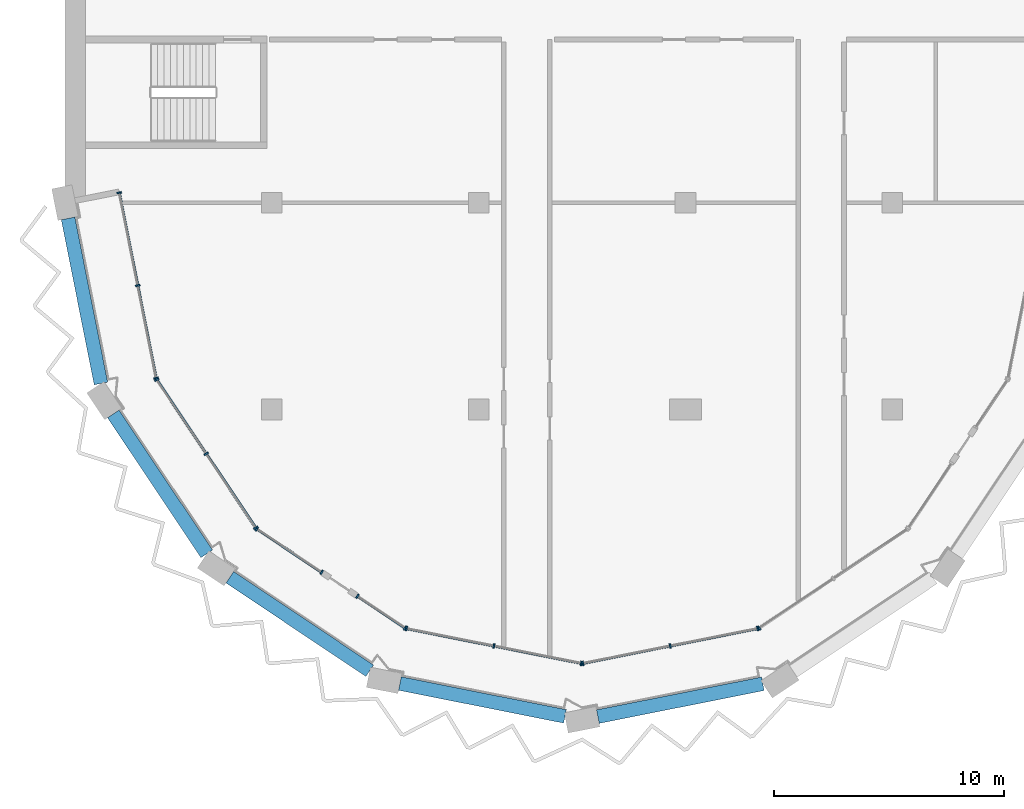
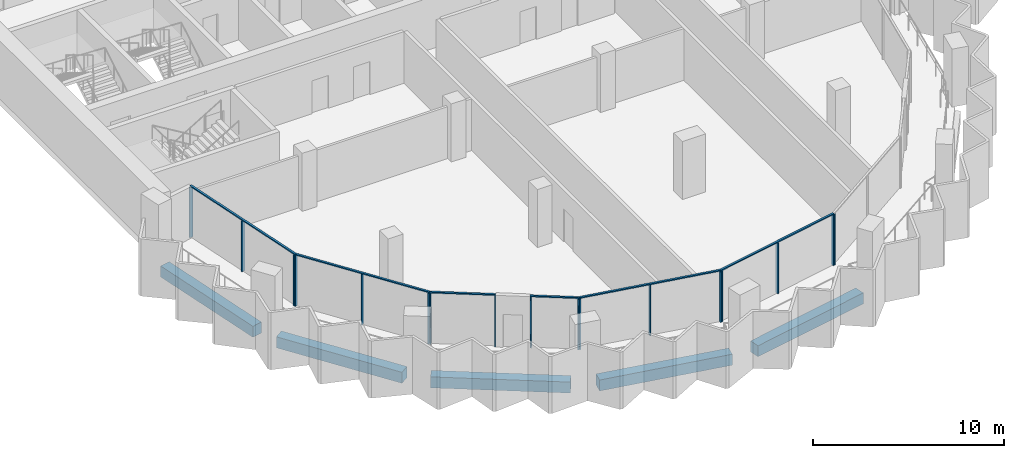
# One storey, part 2 of 14: 23 members, 5 beams, 7 elements without a shape of their own.
"""IFC4 building model written with IfcOpenShell, lengths in metres."""

from ifc_helpers import new_model, si_unit, direction, frame, origin, origin_2d, place, context, subcontext, project, spatial, rectangle, extrude, material, material_profile, profile_set, type_object, element, aggregate, save


model = new_model("IFC4")

# Units and contexts
model_context = context("Model", 3, precision=1e-05, world=origin(), true_north=direction((0.0, 1.0)))
body_context = subcontext(model_context, "Body", "Model", "MODEL_VIEW")
ifc_project = project(units=[si_unit("LENGTHUNIT", "METRE"), si_unit("AREAUNIT", "SQUARE_METRE"), si_unit("VOLUMEUNIT", "CUBIC_METRE"), si_unit("PLANEANGLEUNIT", "RADIAN"), si_unit("MASSUNIT", "GRAM", prefix="KILO")], contexts=[model_context])

# Site, building, storey
site_placement = place(None, origin())
site = spatial("IfcSite", under=ifc_project, at=site_placement, CompositionType="ELEMENT")
building_placement = place(site_placement, origin())
building = spatial("IfcBuilding", under=site, at=building_placement, Name="Hunhe Ridgeline Campus", CompositionType="ELEMENT")
storey_placement = place(building_placement, frame((0.0, 0.0, 291.89990234375)))
storey = spatial("IfcBuildingStorey", under=building, at=storey_placement, Name="L75", CompositionType="ELEMENT", Elevation=291.89990234375)

# Curtain wall, members
ifc_material_1 = material(Name="Aluminium 6063", Category="aluminium")
curtain_wall_type = type_object("IfcCurtainWallType", Name="Curtain wall CW-5", PredefinedType="NOTDEFINED", material=ifc_material_1)
curtain_wall_1_placement = place(storey_placement, origin())
curtain_wall_1 = element("IfcCurtainWall", 1, at=curtain_wall_1_placement, inside=storey, type_object=curtain_wall_type, Name="Curtain wall 01", PredefinedType="NOTDEFINED")
ifc_material_profile_1 = material_profile(ifc_material_1, rectangle(XDim=0.199951171875, YDim=0.070068359375, at=origin_2d()))
ifc_profile_set_1 = profile_set([ifc_material_profile_1], Name="Aluminium 6063")
member_type_1 = type_object("IfcMemberType", Name="CW-5 aluminium mullion", PredefinedType="MULLION", material=ifc_profile_set_1)
member_1_placement = place(storey_placement, frame((2.361572265625, 54.434326171875, 0.0), z_axis=(0.0, 0.0, 1.0), x_axis=(0.980784280831, 0.195095347137, 0.0)))
member_1 = element("IfcMember", 2, at=member_1_placement, type_object=member_type_1, Name="CW-5 mullion 1", PredefinedType="MULLION", context=body_context, shape_type="SweptSolid", body=[
    extrude(rectangle(XDim=0.199951171875, YDim=0.070068359375, at=origin_2d()), origin(), (0.0, 0.0, 1.0), 3.22998046875),
])
member_2_placement = place(storey_placement, frame((3.16455078125, 50.3974609375, 0.0), z_axis=(0.0, 0.0, 1.0), x_axis=(0.980784280831, 0.195095347137, 0.0)))
member_2 = element("IfcMember", 3, at=member_2_placement, type_object=member_type_1, Name="CW-5 mullion 2", PredefinedType="MULLION", context=body_context, shape_type="SweptSolid", body=[
    extrude(rectangle(XDim=0.199951171875, YDim=0.070068359375, at=origin_2d()), origin(), (0.0, 0.0, 1.0), 3.22998046875),
])
member_3_placement = place(storey_placement, frame((3.967529296875, 46.36083984375, 0.0), z_axis=(0.0, 0.0, 1.0), x_axis=(0.980784280831, 0.195095347137, 0.0)))
member_3 = element("IfcMember", 4, at=member_3_placement, type_object=member_type_1, Name="CW-5 mullion 3", PredefinedType="MULLION", context=body_context, shape_type="SweptSolid", body=[
    extrude(rectangle(XDim=0.199951171875, YDim=0.070068359375, at=origin_2d()), origin(), (0.0, 0.0, 1.0), 3.22998046875),
])

curtain_wall_2_placement = place(storey_placement, origin())
curtain_wall_2 = element("IfcCurtainWall", 5, at=curtain_wall_2_placement, inside=storey, type_object=curtain_wall_type, Name="Curtain wall 02", PredefinedType="NOTDEFINED")
member_4_placement = place(storey_placement, frame((3.993896484375, 46.29736328125, 0.0), z_axis=(0.0, 0.0, 1.0), x_axis=(0.831469584522, 0.555570274596, 0.0)))
member_4 = element("IfcMember", 6, at=member_4_placement, type_object=member_type_1, Name="CW-5 mullion 1", PredefinedType="MULLION", context=body_context, shape_type="SweptSolid", body=[
    extrude(rectangle(XDim=0.199951171875, YDim=0.070068359375, at=origin_2d()), origin(), (0.0, 0.0, 1.0), 3.22998046875),
])
member_5_placement = place(storey_placement, frame((6.147705078125, 43.07373046875, 0.0), z_axis=(0.0, 0.0, 1.0), x_axis=(0.831469584522, 0.555570274596, 0.0)))
member_5 = element("IfcMember", 7, at=member_5_placement, type_object=member_type_1, Name="CW-5 mullion 2", PredefinedType="MULLION", context=body_context, shape_type="SweptSolid", body=[
    extrude(rectangle(XDim=0.199951171875, YDim=0.070068359375, at=origin_2d()), origin(), (0.0, 0.0, 1.0), 3.22998046875),
])
member_6_placement = place(storey_placement, frame((8.3017578125, 39.850341796875, 0.0), z_axis=(0.0, 0.0, 1.0), x_axis=(0.831469584522, 0.555570274596, 0.0)))
member_6 = element("IfcMember", 8, at=member_6_placement, type_object=member_type_1, Name="CW-5 mullion 3", PredefinedType="MULLION", context=body_context, shape_type="SweptSolid", body=[
    extrude(rectangle(XDim=0.199951171875, YDim=0.070068359375, at=origin_2d()), origin(), (0.0, 0.0, 1.0), 3.22998046875),
])

curtain_wall_3_placement = place(storey_placement, origin())
curtain_wall_3 = element("IfcCurtainWall", 9, at=curtain_wall_3_placement, inside=storey, type_object=curtain_wall_type, Name="Curtain wall 03", PredefinedType="NOTDEFINED")
member_7_placement = place(storey_placement, frame((8.350341796875, 39.8017578125, 0.0), z_axis=(0.0, 0.0, 1.0), x_axis=(0.555570257501, 0.831469595944, 0.0)))
member_7 = element("IfcMember", 10, at=member_7_placement, type_object=member_type_1, Name="CW-5 mullion 1", PredefinedType="MULLION", context=body_context, shape_type="SweptSolid", body=[
    extrude(rectangle(XDim=0.199951171875, YDim=0.070068359375, at=origin_2d()), origin(), (0.0, 0.0, 1.0), 3.22998046875),
])
member_8_placement = place(storey_placement, frame((11.17041015625, 37.917236328125, 0.0), z_axis=(0.0, 0.0, 1.0), x_axis=(0.555570257501, 0.831469595944, 0.0)))
member_8 = element("IfcMember", 11, at=member_8_placement, type_object=member_type_1, Name="CW-5 mullion 2", PredefinedType="MULLION", context=body_context, shape_type="SweptSolid", body=[
    extrude(rectangle(XDim=0.199951171875, YDim=0.070068359375, at=origin_2d()), origin(), (0.0, 0.0, 1.0), 3.22998046875),
])

curtain_wall_4_placement = place(storey_placement, origin())
curtain_wall_4 = element("IfcCurtainWall", 12, at=curtain_wall_4_placement, inside=storey, type_object=curtain_wall_type, Name="Curtain wall 04", PredefinedType="NOTDEFINED")
member_9_placement = place(storey_placement, frame((12.725341796875, 36.87841796875, 0.0), z_axis=(0.0, 0.0, 1.0), x_axis=(0.555570385598, 0.831469510353, 0.0)))
member_9 = element("IfcMember", 13, at=member_9_placement, type_object=member_type_1, Name="CW-5 mullion 1", PredefinedType="MULLION", context=body_context, shape_type="SweptSolid", body=[
    extrude(rectangle(XDim=0.199951171875, YDim=0.070068359375, at=origin_2d()), origin(), (0.0, 0.0, 1.0), 3.22998046875),
])
member_10_placement = place(storey_placement, frame((14.79736328125, 35.493896484375, 0.0), z_axis=(0.0, 0.0, 1.0), x_axis=(0.555570385598, 0.831469510353, 0.0)))
member_10 = element("IfcMember", 14, at=member_10_placement, type_object=member_type_1, Name="CW-5 mullion 2", PredefinedType="MULLION", context=body_context, shape_type="SweptSolid", body=[
    extrude(rectangle(XDim=0.199951171875, YDim=0.070068359375, at=origin_2d()), origin(), (0.0, 0.0, 1.0), 3.22998046875),
])

curtain_wall_5_placement = place(storey_placement, origin())
curtain_wall_5 = element("IfcCurtainWall", 15, at=curtain_wall_5_placement, inside=storey, type_object=curtain_wall_type, Name="Curtain wall 05", PredefinedType="NOTDEFINED")
member_11_placement = place(storey_placement, frame((14.86083984375, 35.467529296875, 0.0), z_axis=(0.0, 0.0, 1.0), x_axis=(0.195090347539, 0.980785275326, 0.0)))
member_11 = element("IfcMember", 16, at=member_11_placement, type_object=member_type_1, Name="CW-5 mullion 1", PredefinedType="MULLION", context=body_context, shape_type="SweptSolid", body=[
    extrude(rectangle(XDim=0.199951171875, YDim=0.070068359375, at=origin_2d()), origin(), (0.0, 0.0, 1.0), 3.22998046875),
])
member_12_placement = place(storey_placement, frame((18.663330078125, 34.711181640625, 0.0), z_axis=(0.0, 0.0, 1.0), x_axis=(0.195090347539, 0.980785275326, 0.0)))
member_12 = element("IfcMember", 17, at=member_12_placement, type_object=member_type_1, Name="CW-5 mullion 2", PredefinedType="MULLION", context=body_context, shape_type="SweptSolid", body=[
    extrude(rectangle(XDim=0.199951171875, YDim=0.070068359375, at=origin_2d()), origin(), (0.0, 0.0, 1.0), 3.22998046875),
])
member_13_placement = place(storey_placement, frame((22.465576171875, 33.954833984375, 0.0), z_axis=(0.0, 0.0, 1.0), x_axis=(0.195090347539, 0.980785275326, 0.0)))
member_13 = element("IfcMember", 18, at=member_13_placement, type_object=member_type_1, Name="CW-5 mullion 3", PredefinedType="MULLION", context=body_context, shape_type="SweptSolid", body=[
    extrude(rectangle(XDim=0.199951171875, YDim=0.070068359375, at=origin_2d()), origin(), (0.0, 0.0, 1.0), 3.22998046875),
])

curtain_wall_6_placement = place(storey_placement, origin())
curtain_wall_6 = element("IfcCurtainWall", 19, at=curtain_wall_6_placement, inside=storey, type_object=curtain_wall_type, Name="Curtain wall 06", PredefinedType="NOTDEFINED")
member_14_placement = place(storey_placement, frame((22.534423828125, 33.954833984375, 0.0), z_axis=(0.0, 0.0, 1.0), x_axis=(-0.195090347539, 0.980785275326, 0.0)))
member_14 = element("IfcMember", 20, at=member_14_placement, type_object=member_type_1, Name="CW-5 mullion 1", PredefinedType="MULLION", context=body_context, shape_type="SweptSolid", body=[
    extrude(rectangle(XDim=0.199951171875, YDim=0.070068359375, at=origin_2d()), origin(), (0.0, 0.0, 1.0), 3.22998046875),
])
member_15_placement = place(storey_placement, frame((26.336669921875, 34.711181640625, 0.0), z_axis=(0.0, 0.0, 1.0), x_axis=(-0.195090347539, 0.980785275326, 0.0)))
member_15 = element("IfcMember", 21, at=member_15_placement, type_object=member_type_1, Name="CW-5 mullion 2", PredefinedType="MULLION", context=body_context, shape_type="SweptSolid", body=[
    extrude(rectangle(XDim=0.199951171875, YDim=0.070068359375, at=origin_2d()), origin(), (0.0, 0.0, 1.0), 3.22998046875),
])
member_16_placement = place(storey_placement, frame((30.13916015625, 35.467529296875, 0.0), z_axis=(0.0, 0.0, 1.0), x_axis=(-0.195090347539, 0.980785275326, 0.0)))
member_16 = element("IfcMember", 22, at=member_16_placement, type_object=member_type_1, Name="CW-5 mullion 3", PredefinedType="MULLION", context=body_context, shape_type="SweptSolid", body=[
    extrude(rectangle(XDim=0.199951171875, YDim=0.070068359375, at=origin_2d()), origin(), (0.0, 0.0, 1.0), 3.22998046875),
])

# Curtain wall, member
curtain_wall_7_placement = place(storey_placement, origin())
curtain_wall_7 = element("IfcCurtainWall", 23, at=curtain_wall_7_placement, inside=storey, type_object=curtain_wall_type, Name="Curtain wall 07", PredefinedType="NOTDEFINED")
member_17_placement = place(storey_placement, frame((30.20263671875, 35.493896484375, 0.0), z_axis=(0.0, 0.0, 1.0), x_axis=(-0.555570274596, 0.831469584522, 0.0)))
member_17 = element("IfcMember", 24, at=member_17_placement, type_object=member_type_1, Name="CW-5 mullion 1", PredefinedType="MULLION", context=body_context, shape_type="SweptSolid", body=[
    extrude(rectangle(XDim=0.199951171875, YDim=0.070068359375, at=origin_2d()), origin(), (0.0, 0.0, 1.0), 3.22998046875),
])
aggregate(curtain_wall_7, [member_17])

# Member
ifc_material_profile_2 = material_profile(ifc_material_1, rectangle(XDim=0.1201171875, YDim=0.070068359375, at=origin_2d()))
ifc_profile_set_2 = profile_set([ifc_material_profile_2], Name="Aluminium 6063")
member_type_2 = type_object("IfcMemberType", Name="CW-5 aluminium transom", PredefinedType="USERDEFINED", material=ifc_profile_set_2)
member_18_placement = place(storey_placement, frame((2.354736328125, 54.46875, 3.26513671875), z_axis=(0.195092405068, -0.980784866056, 0.0), x_axis=(0.980784866056, 0.195092405068, 0.0)))
member_18 = element("IfcMember", 25, at=member_18_placement, type_object=member_type_2, Name="CW-5 transom 1", ObjectType="TRANSOM", PredefinedType="USERDEFINED", context=body_context, shape_type="SweptSolid", body=[
    extrude(rectangle(XDim=0.1201171875, YDim=0.070068359375, at=origin_2d()), origin(), (0.0, 0.0, 1.0), 8.3017578125),
])

aggregate(curtain_wall_1, [member_18, member_1, member_2, member_3])

member_19_placement = place(storey_placement, frame((3.974365234375, 46.326416015625, 3.26513671875), z_axis=(0.5555640203, -0.831473763475, 0.0), x_axis=(0.831473763475, 0.5555640203, 0.0)))
member_19 = element("IfcMember", 26, at=member_19_placement, type_object=member_type_2, Name="CW-5 transom 1", ObjectType="TRANSOM", PredefinedType="USERDEFINED", context=body_context, shape_type="SweptSolid", body=[
    extrude(rectangle(XDim=0.1201171875, YDim=0.070068359375, at=origin_2d()), origin(), (0.0, 0.0, 1.0), 7.823974609375),
])

aggregate(curtain_wall_2, [member_19, member_4, member_5, member_6])

member_20_placement = place(storey_placement, frame((8.321044921875, 39.821044921875, 3.26513671875), z_axis=(0.831485714606, -0.555546133463, 0.0), x_axis=(0.555546133463, 0.831485714606, 0.0)))
member_20 = element("IfcMember", 27, at=member_20_placement, type_object=member_type_2, Name="CW-5 transom 1", ObjectType="TRANSOM", PredefinedType="USERDEFINED", context=body_context, shape_type="SweptSolid", body=[
    extrude(rectangle(XDim=0.1201171875, YDim=0.070068359375, at=origin_2d()), origin(), (0.0, 0.0, 1.0), 3.462158203125),
])

aggregate(curtain_wall_3, [member_20, member_7, member_8])

member_21_placement = place(storey_placement, frame((12.6962890625, 36.897705078125, 3.26513671875), z_axis=(0.831463388334, -0.555579547735, 0.0), x_axis=(0.555579547735, 0.831463388334, 0.0)))
member_21 = element("IfcMember", 28, at=member_21_placement, type_object=member_type_2, Name="CW-5 transom 1", ObjectType="TRANSOM", PredefinedType="USERDEFINED", context=body_context, shape_type="SweptSolid", body=[
    extrude(rectangle(XDim=0.1201171875, YDim=0.070068359375, at=origin_2d()), origin(), (0.0, 0.0, 1.0), 2.56201171875),
])

aggregate(curtain_wall_4, [member_21, member_9, member_10])

member_22_placement = place(storey_placement, frame((14.826416015625, 35.474365234375, 3.26513671875), z_axis=(0.980785367689, -0.195089883198, 0.0), x_axis=(0.195089883198, 0.980785367689, 0.0)))
member_22 = element("IfcMember", 29, at=member_22_placement, type_object=member_type_2, Name="CW-5 transom 1", ObjectType="TRANSOM", PredefinedType="USERDEFINED", context=body_context, shape_type="SweptSolid", body=[
    extrude(rectangle(XDim=0.1201171875, YDim=0.070068359375, at=origin_2d()), origin(), (0.0, 0.0, 1.0), 7.823974609375),
])

aggregate(curtain_wall_5, [member_22, member_11, member_12, member_13])

member_23_placement = place(storey_placement, frame((22.5, 33.947998046875, 3.26513671875), z_axis=(0.980785367689, 0.195089883198, 0.0), x_axis=(-0.195089883198, 0.980785367689, 0.0)))
member_23 = element("IfcMember", 30, at=member_23_placement, type_object=member_type_2, Name="CW-5 transom 1", ObjectType="TRANSOM", PredefinedType="USERDEFINED", context=body_context, shape_type="SweptSolid", body=[
    extrude(rectangle(XDim=0.1201171875, YDim=0.070068359375, at=origin_2d()), origin(), (0.0, 0.0, 1.0), 7.823974609375),
])

aggregate(curtain_wall_6, [member_23, member_14, member_15, member_16])

# Beams
ifc_material_2 = material(Name="Concrete C50", Category="concrete")
ifc_material_profile_3 = material_profile(ifc_material_2, rectangle(XDim=0.60009765625, YDim=0.699951171875, at=origin_2d()))
ifc_profile_set_3 = profile_set([ifc_material_profile_3], Name="Concrete C50")
beam_type = type_object("IfcBeamType", Name="RC spandrel beam 600x700 Concrete C50", PredefinedType="SPANDREL", material=ifc_profile_set_3)
beam_1_placement = place(storey_placement, frame((0.136474609375, 53.3134765625, -0.599853515625), z_axis=(0.195109229868, -0.980781519208, 0.0), x_axis=(0.980781519208, 0.195109229868, 0.0)))
element("IfcBeam", 31, at=beam_1_placement, inside=storey, type_object=beam_type, Name="Spandrel beam B4-1 L75", PredefinedType="SPANDREL", context=body_context, shape_type="SweptSolid", body=[
    extrude(rectangle(XDim=0.60009765625, YDim=0.699951171875, at=origin_2d()), origin(), (0.0, 0.0, 1.0), 7.3212890625),
])
beam_2_placement = place(storey_placement, frame((2.1015625, 44.8076171875, -0.599853515625), z_axis=(0.555569441455, -0.831470141209, 0.0), x_axis=(0.831470141209, 0.555569441455, 0.0)))
element("IfcBeam", 32, at=beam_2_placement, inside=storey, type_object=beam_type, Name="Spandrel beam B4-2 L75", PredefinedType="SPANDREL", context=body_context, shape_type="SweptSolid", body=[
    extrude(rectangle(XDim=0.60009765625, YDim=0.699951171875, at=origin_2d()), origin(), (0.0, 0.0, 1.0), 7.321533203125),
])
for number, where, z_axis, x_axis, name in (
    (33, (7.172119140625, 37.701171875, -0.599853515625), (0.831459848444, -0.555584845389, 0.0), (0.555584845389, 0.831459848444, 0.0), "Spandrel beam B4-3 L75"),
    (34, (14.576171875, 33.076171875, -0.599853515625), (0.980781519208, -0.195109229868, 0.0), (0.195109229868, 0.980781519208, 0.0), "Spandrel beam B4-4 L75"),
    (35, (23.1865234375, 31.636474609375, -0.599853515625), (0.980781519208, 0.195109229868, 0.0), (-0.195109229868, 0.980781519208, 0.0), "Spandrel beam B4-5 L75"),
):
    element("IfcBeam", number, at=place(storey_placement, frame(where, z_axis=z_axis, x_axis=x_axis)), inside=storey, type_object=beam_type, Name=name, PredefinedType="SPANDREL", context=body_context, shape_type="SweptSolid", body=[
        extrude(rectangle(XDim=0.60009765625, YDim=0.699951171875, at=origin_2d()), origin(), (0.0, 0.0, 1.0), 7.3212890625),
    ])

save(model, "model.ifc")
